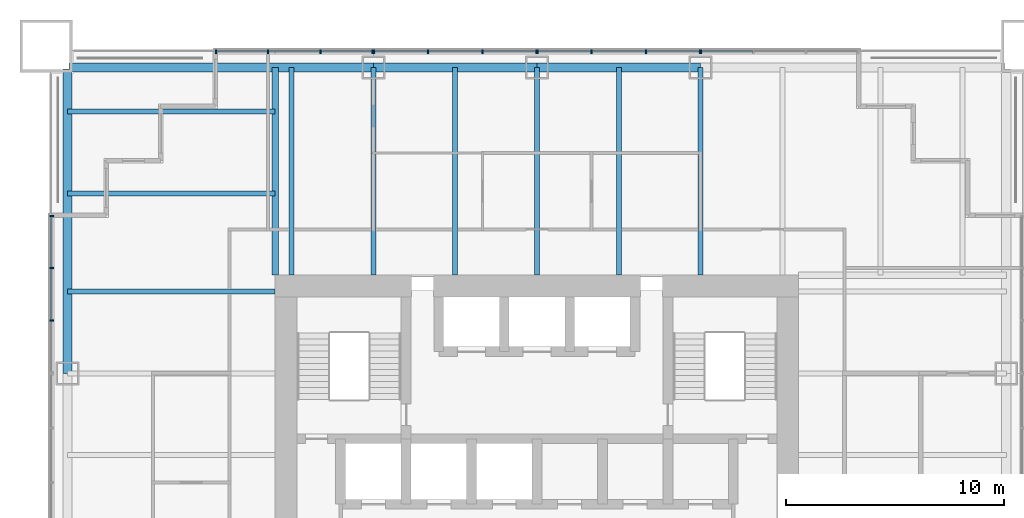
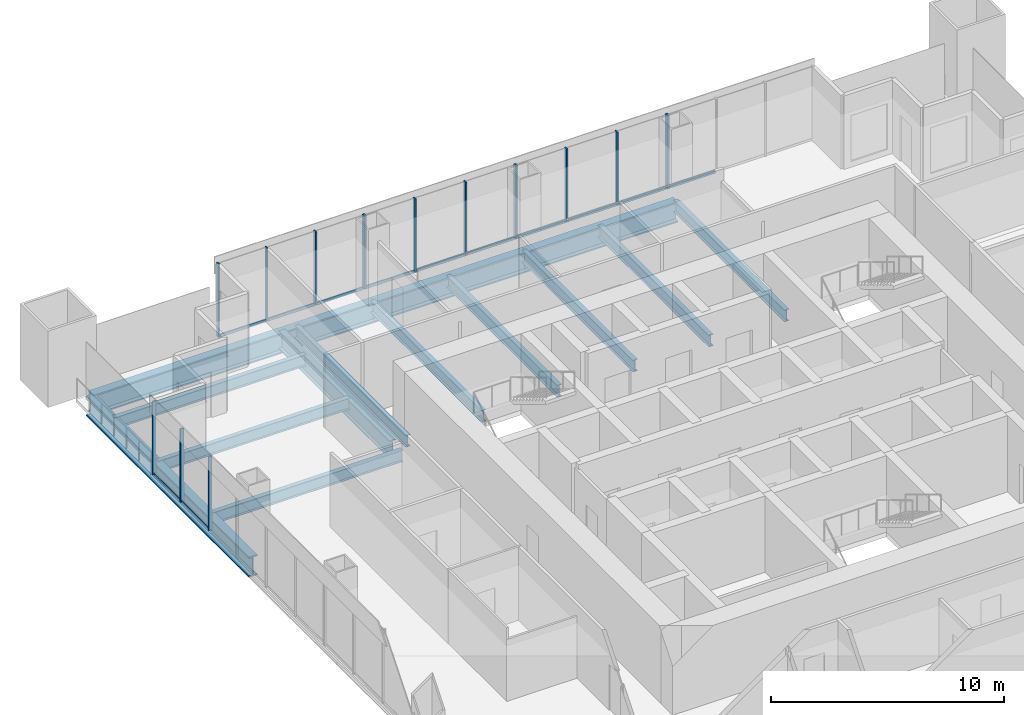
# One storey, part 5 of 13: 28 members, 14 beams, 5 elements without a shape of their own.
"""IFC4 building model written with IfcOpenShell, lengths in metres."""

from ifc_helpers import new_model, si_unit, direction, frame, origin, origin_2d, place, context, subcontext, project, spatial, rectangle, i_section, extrude, material, material_profile, profile_set, type_object, element, aggregate, save


model = new_model("IFC4")

# Units and contexts
model_context = context("Model", 3, precision=1e-05, world=origin(), true_north=direction((0.0, 1.0)))
body_context = subcontext(model_context, "Body", "Model", "MODEL_VIEW")
ifc_project = project(units=[si_unit("LENGTHUNIT", "METRE"), si_unit("AREAUNIT", "SQUARE_METRE"), si_unit("VOLUMEUNIT", "CUBIC_METRE"), si_unit("PLANEANGLEUNIT", "RADIAN"), si_unit("MASSUNIT", "GRAM", prefix="KILO")], contexts=[model_context])

# Site, building, storey
site_placement = place(None, origin())
site = spatial("IfcSite", under=ifc_project, at=site_placement, CompositionType="ELEMENT")
building_placement = place(site_placement, origin())
building = spatial("IfcBuilding", under=site, at=building_placement, Name="Tarangal Relay Tower", CompositionType="ELEMENT")
storey_placement = place(building_placement, frame((0.0, 0.0, 209.89990234375)))
storey = spatial("IfcBuildingStorey", under=building, at=storey_placement, Name="L44", CompositionType="ELEMENT", Elevation=209.89990234375)

# Beams
ifc_material_1 = material(Name="Steel ASTM A992", Category="steel")
ifc_material_profile_1 = material_profile(ifc_material_1, i_section(OverallWidth=0.227783203125, OverallDepth=0.60205078125, WebThickness=0.010498046875, FlangeThickness=0.014892578125, at=origin_2d()), Name="W24X68")
ifc_profile_set_1 = profile_set([ifc_material_profile_1], Name="Steel ASTM A992")
beam_type_1 = type_object("IfcBeamType", Name="Corner beam W24X68", PredefinedType="JOIST", material=ifc_profile_set_1)
for number, where, z_axis, x_axis, name in (
    (1, (-12.0, 15.75, -0.450927734375), (-1.0, 0.0, 0.0), (0.0, -1.0, 0.0), "Corner beam CB11 W L44"),
    (2, (-12.0, 19.5, -0.450927734375), (-1.0, 0.0, 0.0), (0.0, -1.0, 0.0), "Corner beam CB11 W L44"),
):
    element("IfcBeam", number, at=place(storey_placement, frame(where, z_axis=z_axis, x_axis=x_axis)), inside=storey, type_object=beam_type_1, Name=name, PredefinedType="JOIST", context=body_context, shape_type="SweptSolid", body=[
        extrude(i_section(OverallWidth=0.227783203125, OverallDepth=0.60205078125, WebThickness=0.010498046875, FlangeThickness=0.014892578125, at=origin_2d()), origin(), (0.0, 0.0, 1.0), 9.514892578125),
    ])
ifc_material_profile_2 = material_profile(ifc_material_1, i_section(OverallWidth=0.307373046875, OverallDepth=0.9423828125, WebThickness=0.022216796875, FlangeThickness=0.039794921875, at=origin_2d()), Name="W36X232")
ifc_profile_set_2 = profile_set([ifc_material_profile_2], Name="Steel ASTM A992")
beam_type_2 = type_object("IfcBeamType", Name="Corner girder W36X232", PredefinedType="BEAM", material=ifc_profile_set_2)
beam_1_placement = place(storey_placement, frame((-12.0, 12.0, -0.62109375), z_axis=(0.0, 1.0, 0.0), x_axis=(-1.0, 0.0, 0.0)))
element("IfcBeam", 3, at=beam_1_placement, inside=storey, type_object=beam_type_2, Name="Corner girder CG4 W L44", PredefinedType="BEAM", context=body_context, shape_type="SweptSolid", body=[
    extrude(i_section(OverallWidth=0.307373046875, OverallDepth=0.9423828125, WebThickness=0.022216796875, FlangeThickness=0.039794921875, at=origin_2d()), origin(), (0.0, 0.0, 1.0), 9.514892578125),
])
ifc_material_profile_3 = material_profile(ifc_material_1, i_section(OverallWidth=0.41650390625, OverallDepth=1.0693359375, WebThickness=0.0390625, FlangeThickness=0.070068359375, at=origin_2d()), Name="W40X503")
ifc_profile_set_3 = profile_set([ifc_material_profile_3], Name="Steel ASTM A992")
beam_type_3 = type_object("IfcBeamType", Name="Edge girder W40X503", PredefinedType="SPANDREL", material=ifc_profile_set_3)
beam_2_placement = place(storey_placement, frame((-21.449951171875, 21.514892578125, -0.6845703125), z_axis=(1.0, 0.0, 0.0), x_axis=(0.0, 1.0, 0.0)))
element("IfcBeam", 4, at=beam_2_placement, inside=storey, type_object=beam_type_3, Name="Edge girder EG8 N L44", PredefinedType="SPANDREL", context=body_context, shape_type="SweptSolid", body=[
    extrude(i_section(OverallWidth=0.41650390625, OverallDepth=1.0693359375, WebThickness=0.0390625, FlangeThickness=0.070068359375, at=origin_2d()), origin(), (0.0, 0.0, 1.0), 13.949951171875),
])
for number, where, z_axis, x_axis, name in (
    (5, (-7.5, 21.514892578125, -0.6845703125), (1.0, 0.0, 0.0), (0.0, 1.0, 0.0), "Edge girder EG8 N L44"),
    (6, (0.0, 21.514892578125, -0.6845703125), (1.0, 0.0, 0.0), (0.0, 1.0, 0.0), "Edge girder EG8 N L44"),
):
    element("IfcBeam", number, at=place(storey_placement, frame(where, z_axis=z_axis, x_axis=x_axis)), inside=storey, type_object=beam_type_3, Name=name, PredefinedType="SPANDREL", context=body_context, shape_type="SweptSolid", body=[
        extrude(i_section(OverallWidth=0.41650390625, OverallDepth=1.0693359375, WebThickness=0.0390625, FlangeThickness=0.070068359375, at=origin_2d()), origin(), (0.0, 0.0, 1.0), 7.5),
    ])
beam_3_placement = place(storey_placement, frame((-21.514892578125, 7.5, -0.6845703125), z_axis=(0.0, 1.0, 0.0), x_axis=(-1.0, 0.0, 0.0)))
element("IfcBeam", 7, at=beam_3_placement, inside=storey, type_object=beam_type_3, Name="Edge girder EG8 W L44", PredefinedType="SPANDREL", context=body_context, shape_type="SweptSolid", body=[
    extrude(i_section(OverallWidth=0.41650390625, OverallDepth=1.0693359375, WebThickness=0.0390625, FlangeThickness=0.070068359375, at=origin_2d()), origin(), (0.0, 0.0, 1.0), 13.949951171875),
])
ifc_material_profile_4 = material_profile(ifc_material_1, i_section(OverallWidth=0.22900390625, OverallDepth=0.612060546875, WebThickness=0.011962890625, FlangeThickness=0.01953125, at=origin_2d()), Name="W24X84")
ifc_profile_set_4 = profile_set([ifc_material_profile_4], Name="Steel ASTM A992")
beam_type_4 = type_object("IfcBeamType", Name="Floor beam W24X84", PredefinedType="BEAM", material=ifc_profile_set_4)
for number, where, z_axis, x_axis, name in (
    (8, (-11.25, 12.0, -0.455810546875), (0.0, 1.0, 0.0), (-1.0, 0.0, 0.0), "Floor beam RB12 N L44"),
    (9, (-7.5, 12.0, -0.455810546875), (0.0, 1.0, 0.0), (-1.0, 0.0, 0.0), "Floor beam RB12 N L44"),
    (10, (-3.75, 12.0, -0.455810546875), (0.0, 1.0, 0.0), (-1.0, 0.0, 0.0), "Floor beam RB12 N L44"),
    (11, (0.0, 12.0, -0.455810546875), (0.0, 1.0, 0.0), (-1.0, 0.0, 0.0), "Floor beam RB12 N L44"),
    (12, (3.75, 12.0, -0.455810546875), (0.0, 1.0, 0.0), (-1.0, 0.0, 0.0), "Floor beam RB12 N L44"),
    (13, (7.5, 12.0, -0.455810546875), (0.0, 1.0, 0.0), (-1.0, 0.0, 0.0), "Floor beam RB12 N L44"),
    (14, (-12.0, 11.25, -0.455810546875), (-1.0, 0.0, 0.0), (0.0, -1.0, 0.0), "Floor beam RB12 W L44"),
):
    element("IfcBeam", number, at=place(storey_placement, frame(where, z_axis=z_axis, x_axis=x_axis)), inside=storey, type_object=beam_type_4, Name=name, PredefinedType="BEAM", context=body_context, shape_type="SweptSolid", body=[
        extrude(i_section(OverallWidth=0.22900390625, OverallDepth=0.612060546875, WebThickness=0.011962890625, FlangeThickness=0.01953125, at=origin_2d()), origin(), (0.0, 0.0, 1.0), 9.514892578125),
    ])

# Curtain wall, members
ifc_material_2 = material(Name="Unitised curtain wall, dark glass and black aluminium", Category="aluminium")
curtain_wall_type = type_object("IfcCurtainWallType", Name="Curtain wall CW-A", PredefinedType="USERDEFINED", material=ifc_material_2)
curtain_wall_1_placement = place(storey_placement, origin())
curtain_wall_1 = element("IfcCurtainWall", 15, at=curtain_wall_1_placement, inside=storey, type_object=curtain_wall_type, Name="Curtain wall CW-A N facade L44", ObjectType="UNITISED CURTAIN WALL", PredefinedType="USERDEFINED")
ifc_material_3 = material(Name="Black anodised aluminium mullion", Category="aluminium")
ifc_material_profile_5 = material_profile(ifc_material_3, rectangle(XDim=0.175048828125, YDim=0.06494140625, at=origin_2d()), Name="CW-AM 65X175")
ifc_profile_set_5 = profile_set([ifc_material_profile_5], Name="Black anodised aluminium mullion")
member_type_1 = type_object("IfcMemberType", Name="Mullion CW-A 65 x 175", PredefinedType="MULLION", material=ifc_profile_set_5)
member_1_placement = place(storey_placement, frame((-14.717529296875, 22.25, 0.0), z_axis=(0.0, 0.0, 1.0), x_axis=(0.0, 1.0, 0.0)))
member_1 = element("IfcMember", 16, at=member_1_placement, type_object=member_type_1, Name="CW-A mullion 1", PredefinedType="MULLION", context=body_context, shape_type="SweptSolid", body=[
    extrude(rectangle(XDim=0.175048828125, YDim=0.06494140625, at=origin_2d()), origin(), (0.0, 0.0, 1.0), 3.85009765625),
])
member_2_placement = place(storey_placement, frame((-12.333251953125, 22.25, 0.0), z_axis=(0.0, 0.0, 1.0), x_axis=(0.0, 1.0, 0.0)))
member_2 = element("IfcMember", 17, at=member_2_placement, type_object=member_type_1, Name="CW-A mullion 2", PredefinedType="MULLION", context=body_context, shape_type="SweptSolid", body=[
    extrude(rectangle(XDim=0.175048828125, YDim=0.06494140625, at=origin_2d()), origin(), (0.0, 0.0, 1.0), 3.85009765625),
])
member_3_placement = place(storey_placement, frame((-9.916748046875, 22.25, 0.0), z_axis=(0.0, 0.0, 1.0), x_axis=(0.0, 1.0, 0.0)))
member_3 = element("IfcMember", 18, at=member_3_placement, type_object=member_type_1, Name="CW-A mullion 3", PredefinedType="MULLION", context=body_context, shape_type="SweptSolid", body=[
    extrude(rectangle(XDim=0.175048828125, YDim=0.06494140625, at=origin_2d()), origin(), (0.0, 0.0, 1.0), 3.85009765625),
])
member_4_placement = place(storey_placement, frame((-7.532470703125, 22.25, 0.0), z_axis=(0.0, 0.0, 1.0), x_axis=(0.0, 1.0, 0.0)))
member_4 = element("IfcMember", 19, at=member_4_placement, type_object=member_type_1, Name="CW-A mullion 4", PredefinedType="MULLION", context=body_context, shape_type="SweptSolid", body=[
    extrude(rectangle(XDim=0.175048828125, YDim=0.06494140625, at=origin_2d()), origin(), (0.0, 0.0, 1.0), 3.85009765625),
])

curtain_wall_2_placement = place(storey_placement, origin())
curtain_wall_2 = element("IfcCurtainWall", 20, at=curtain_wall_2_placement, inside=storey, type_object=curtain_wall_type, Name="Curtain wall CW-A N facade L44", ObjectType="UNITISED CURTAIN WALL", PredefinedType="USERDEFINED")
member_5_placement = place(storey_placement, frame((-7.467529296875, 22.25, 0.0), z_axis=(0.0, 0.0, 1.0), x_axis=(0.0, 1.0, 0.0)))
member_5 = element("IfcMember", 21, at=member_5_placement, type_object=member_type_1, Name="CW-A mullion 1", PredefinedType="MULLION", context=body_context, shape_type="SweptSolid", body=[
    extrude(rectangle(XDim=0.175048828125, YDim=0.06494140625, at=origin_2d()), origin(), (0.0, 0.0, 1.0), 3.85009765625),
])
member_6_placement = place(storey_placement, frame((-5.0, 22.25, 0.0), z_axis=(0.0, 0.0, 1.0), x_axis=(0.0, 1.0, 0.0)))
member_6 = element("IfcMember", 22, at=member_6_placement, type_object=member_type_1, Name="CW-A mullion 2", PredefinedType="MULLION", context=body_context, shape_type="SweptSolid", body=[
    extrude(rectangle(XDim=0.175048828125, YDim=0.06494140625, at=origin_2d()), origin(), (0.0, 0.0, 1.0), 3.85009765625),
])
member_7_placement = place(storey_placement, frame((-2.5, 22.25, 0.0), z_axis=(0.0, 0.0, 1.0), x_axis=(0.0, 1.0, 0.0)))
member_7 = element("IfcMember", 23, at=member_7_placement, type_object=member_type_1, Name="CW-A mullion 3", PredefinedType="MULLION", context=body_context, shape_type="SweptSolid", body=[
    extrude(rectangle(XDim=0.175048828125, YDim=0.06494140625, at=origin_2d()), origin(), (0.0, 0.0, 1.0), 3.85009765625),
])
member_8_placement = place(storey_placement, frame((-0.032470703125, 22.25, 0.0), z_axis=(0.0, 0.0, 1.0), x_axis=(0.0, 1.0, 0.0)))
member_8 = element("IfcMember", 24, at=member_8_placement, type_object=member_type_1, Name="CW-A mullion 4", PredefinedType="MULLION", context=body_context, shape_type="SweptSolid", body=[
    extrude(rectangle(XDim=0.175048828125, YDim=0.06494140625, at=origin_2d()), origin(), (0.0, 0.0, 1.0), 3.85009765625),
])

curtain_wall_3_placement = place(storey_placement, origin())
curtain_wall_3 = element("IfcCurtainWall", 25, at=curtain_wall_3_placement, inside=storey, type_object=curtain_wall_type, Name="Curtain wall CW-A N facade L44", ObjectType="UNITISED CURTAIN WALL", PredefinedType="USERDEFINED")
member_9_placement = place(storey_placement, frame((0.032470703125, 22.25, 0.0), z_axis=(0.0, 0.0, 1.0), x_axis=(0.0, 1.0, 0.0)))
member_9 = element("IfcMember", 26, at=member_9_placement, type_object=member_type_1, Name="CW-A mullion 1", PredefinedType="MULLION", context=body_context, shape_type="SweptSolid", body=[
    extrude(rectangle(XDim=0.175048828125, YDim=0.06494140625, at=origin_2d()), origin(), (0.0, 0.0, 1.0), 3.85009765625),
])
member_10_placement = place(storey_placement, frame((2.5, 22.25, 0.0), z_axis=(0.0, 0.0, 1.0), x_axis=(0.0, 1.0, 0.0)))
member_10 = element("IfcMember", 27, at=member_10_placement, type_object=member_type_1, Name="CW-A mullion 2", PredefinedType="MULLION", context=body_context, shape_type="SweptSolid", body=[
    extrude(rectangle(XDim=0.175048828125, YDim=0.06494140625, at=origin_2d()), origin(), (0.0, 0.0, 1.0), 3.85009765625),
])
member_11_placement = place(storey_placement, frame((5.0, 22.25, 0.0), z_axis=(0.0, 0.0, 1.0), x_axis=(0.0, 1.0, 0.0)))
member_11 = element("IfcMember", 28, at=member_11_placement, type_object=member_type_1, Name="CW-A mullion 3", PredefinedType="MULLION", context=body_context, shape_type="SweptSolid", body=[
    extrude(rectangle(XDim=0.175048828125, YDim=0.06494140625, at=origin_2d()), origin(), (0.0, 0.0, 1.0), 3.85009765625),
])
member_12_placement = place(storey_placement, frame((7.467529296875, 22.25, 0.0), z_axis=(0.0, 0.0, 1.0), x_axis=(0.0, 1.0, 0.0)))
member_12 = element("IfcMember", 29, at=member_12_placement, type_object=member_type_1, Name="CW-A mullion 4", PredefinedType="MULLION", context=body_context, shape_type="SweptSolid", body=[
    extrude(rectangle(XDim=0.175048828125, YDim=0.06494140625, at=origin_2d()), origin(), (0.0, 0.0, 1.0), 3.85009765625),
])

# Curtain wall, member
curtain_wall_4_placement = place(storey_placement, origin())
curtain_wall_4 = element("IfcCurtainWall", 30, at=curtain_wall_4_placement, inside=storey, type_object=curtain_wall_type, Name="Curtain wall CW-A N facade L44", ObjectType="UNITISED CURTAIN WALL", PredefinedType="USERDEFINED")
member_13_placement = place(storey_placement, frame((7.532470703125, 22.25, 0.0), z_axis=(0.0, 0.0, 1.0), x_axis=(0.0, 1.0, 0.0)))
member_13 = element("IfcMember", 31, at=member_13_placement, type_object=member_type_1, Name="CW-A mullion 1", PredefinedType="MULLION", context=body_context, shape_type="SweptSolid", body=[
    extrude(rectangle(XDim=0.175048828125, YDim=0.06494140625, at=origin_2d()), origin(), (0.0, 0.0, 1.0), 3.85009765625),
])

# Curtain wall, members
curtain_wall_5_placement = place(storey_placement, origin())
curtain_wall_5 = element("IfcCurtainWall", 32, at=curtain_wall_5_placement, inside=storey, type_object=curtain_wall_type, Name="Curtain wall CW-A W facade L44", ObjectType="UNITISED CURTAIN WALL", PredefinedType="USERDEFINED")
member_14_placement = place(storey_placement, frame((-22.25, 9.916748046875, 0.0), z_axis=(0.0, 0.0, 1.0), x_axis=(-1.0, 0.0, 0.0)))
member_14 = element("IfcMember", 33, at=member_14_placement, type_object=member_type_1, Name="CW-A mullion 2", PredefinedType="MULLION", context=body_context, shape_type="SweptSolid", body=[
    extrude(rectangle(XDim=0.175048828125, YDim=0.06494140625, at=origin_2d()), origin(), (0.0, 0.0, 1.0), 3.85009765625),
])
member_15_placement = place(storey_placement, frame((-22.25, 12.333251953125, 0.0), z_axis=(0.0, 0.0, 1.0), x_axis=(-1.0, 0.0, 0.0)))
member_15 = element("IfcMember", 34, at=member_15_placement, type_object=member_type_1, Name="CW-A mullion 3", PredefinedType="MULLION", context=body_context, shape_type="SweptSolid", body=[
    extrude(rectangle(XDim=0.175048828125, YDim=0.06494140625, at=origin_2d()), origin(), (0.0, 0.0, 1.0), 3.85009765625),
])
member_16_placement = place(storey_placement, frame((-22.25, 14.717529296875, 0.0), z_axis=(0.0, 0.0, 1.0), x_axis=(-1.0, 0.0, 0.0)))
member_16 = element("IfcMember", 35, at=member_16_placement, type_object=member_type_1, Name="CW-A mullion 4", PredefinedType="MULLION", context=body_context, shape_type="SweptSolid", body=[
    extrude(rectangle(XDim=0.175048828125, YDim=0.06494140625, at=origin_2d()), origin(), (0.0, 0.0, 1.0), 3.85009765625),
])

# Member
ifc_material_4 = material(Name="Black anodised aluminium transom", Category="aluminium")
ifc_material_profile_6 = material_profile(ifc_material_4, rectangle(XDim=0.06494140625, YDim=0.14990234375, at=origin_2d()), Name="CW-AT 65X150")
ifc_profile_set_6 = profile_set([ifc_material_profile_6], Name="Black anodised aluminium transom")
member_type_2 = type_object("IfcMemberType", Name="Transom CW-A 65 x 150", PredefinedType="USERDEFINED", material=ifc_profile_set_6)
member_17_placement = place(storey_placement, frame((-14.68505859375, 22.25, 0.03271484375), z_axis=(1.0, 0.0, 0.0), x_axis=(0.0, 1.0, 0.0)))
member_17 = element("IfcMember", 36, at=member_17_placement, type_object=member_type_2, Name="CW-A transom 1.1", ObjectType="TRANSOM", PredefinedType="USERDEFINED", context=body_context, shape_type="SweptSolid", body=[
    extrude(rectangle(XDim=0.06494140625, YDim=0.14990234375, at=origin_2d()), origin(), (0.0, 0.0, 1.0), 2.3193359375),
])

member_18_placement = place(storey_placement, frame((-12.30078125, 22.25, 0.03271484375), z_axis=(1.0, 0.0, 0.0), x_axis=(0.0, 1.0, 0.0)))
member_18 = element("IfcMember", 37, at=member_18_placement, type_object=member_type_2, Name="CW-A transom 2.1", ObjectType="TRANSOM", PredefinedType="USERDEFINED", context=body_context, shape_type="SweptSolid", body=[
    extrude(rectangle(XDim=0.06494140625, YDim=0.14990234375, at=origin_2d()), origin(), (0.0, 0.0, 1.0), 2.3515625),
])

member_19_placement = place(storey_placement, frame((-9.88427734375, 22.25, 0.03271484375), z_axis=(1.0, 0.0, 0.0), x_axis=(0.0, 1.0, 0.0)))
member_19 = element("IfcMember", 38, at=member_19_placement, type_object=member_type_2, Name="CW-A transom 3.1", ObjectType="TRANSOM", PredefinedType="USERDEFINED", context=body_context, shape_type="SweptSolid", body=[
    extrude(rectangle(XDim=0.06494140625, YDim=0.14990234375, at=origin_2d()), origin(), (0.0, 0.0, 1.0), 2.3193359375),
])

aggregate(curtain_wall_1, [member_1, member_2, member_3, member_4, member_17, member_18, member_19])

member_20_placement = place(storey_placement, frame((-7.43505859375, 22.25, 0.03271484375), z_axis=(1.0, 0.0, 0.0), x_axis=(0.0, 1.0, 0.0)))
member_20 = element("IfcMember", 39, at=member_20_placement, type_object=member_type_2, Name="CW-A transom 1.1", ObjectType="TRANSOM", PredefinedType="USERDEFINED", context=body_context, shape_type="SweptSolid", body=[
    extrude(rectangle(XDim=0.06494140625, YDim=0.14990234375, at=origin_2d()), origin(), (0.0, 0.0, 1.0), 2.402587890625),
])

member_21_placement = place(storey_placement, frame((-4.967529296875, 22.25, 0.03271484375), z_axis=(1.0, 0.0, 0.0), x_axis=(0.0, 1.0, 0.0)))
member_21 = element("IfcMember", 40, at=member_21_placement, type_object=member_type_2, Name="CW-A transom 2.1", ObjectType="TRANSOM", PredefinedType="USERDEFINED", context=body_context, shape_type="SweptSolid", body=[
    extrude(rectangle(XDim=0.06494140625, YDim=0.14990234375, at=origin_2d()), origin(), (0.0, 0.0, 1.0), 2.43505859375),
])

member_22_placement = place(storey_placement, frame((-2.467529296875, 22.25, 0.03271484375), z_axis=(1.0, 0.0, 0.0), x_axis=(0.0, 1.0, 0.0)))
member_22 = element("IfcMember", 41, at=member_22_placement, type_object=member_type_2, Name="CW-A transom 3.1", ObjectType="TRANSOM", PredefinedType="USERDEFINED", context=body_context, shape_type="SweptSolid", body=[
    extrude(rectangle(XDim=0.06494140625, YDim=0.14990234375, at=origin_2d()), origin(), (0.0, 0.0, 1.0), 2.402587890625),
])

aggregate(curtain_wall_2, [member_5, member_6, member_7, member_8, member_20, member_21, member_22])

member_23_placement = place(storey_placement, frame((0.06494140625, 22.25, 0.03271484375), z_axis=(1.0, 0.0, 0.0), x_axis=(0.0, 1.0, 0.0)))
member_23 = element("IfcMember", 42, at=member_23_placement, type_object=member_type_2, Name="CW-A transom 1.1", ObjectType="TRANSOM", PredefinedType="USERDEFINED", context=body_context, shape_type="SweptSolid", body=[
    extrude(rectangle(XDim=0.06494140625, YDim=0.14990234375, at=origin_2d()), origin(), (0.0, 0.0, 1.0), 2.402587890625),
])

member_24_placement = place(storey_placement, frame((2.532470703125, 22.25, 0.03271484375), z_axis=(1.0, 0.0, 0.0), x_axis=(0.0, 1.0, 0.0)))
member_24 = element("IfcMember", 43, at=member_24_placement, type_object=member_type_2, Name="CW-A transom 2.1", ObjectType="TRANSOM", PredefinedType="USERDEFINED", context=body_context, shape_type="SweptSolid", body=[
    extrude(rectangle(XDim=0.06494140625, YDim=0.14990234375, at=origin_2d()), origin(), (0.0, 0.0, 1.0), 2.43505859375),
])

member_25_placement = place(storey_placement, frame((5.032470703125, 22.25, 0.03271484375), z_axis=(1.0, 0.0, 0.0), x_axis=(0.0, 1.0, 0.0)))
member_25 = element("IfcMember", 44, at=member_25_placement, type_object=member_type_2, Name="CW-A transom 3.1", ObjectType="TRANSOM", PredefinedType="USERDEFINED", context=body_context, shape_type="SweptSolid", body=[
    extrude(rectangle(XDim=0.06494140625, YDim=0.14990234375, at=origin_2d()), origin(), (0.0, 0.0, 1.0), 2.402587890625),
])

aggregate(curtain_wall_3, [member_9, member_10, member_11, member_12, member_23, member_24, member_25])

member_26_placement = place(storey_placement, frame((7.56494140625, 22.25, 0.03271484375), z_axis=(1.0, 0.0, 0.0), x_axis=(0.0, 1.0, 0.0)))
member_26 = element("IfcMember", 45, at=member_26_placement, type_object=member_type_2, Name="CW-A transom 1.1", ObjectType="TRANSOM", PredefinedType="USERDEFINED", context=body_context, shape_type="SweptSolid", body=[
    extrude(rectangle(XDim=0.06494140625, YDim=0.14990234375, at=origin_2d()), origin(), (0.0, 0.0, 1.0), 2.3193359375),
])

aggregate(curtain_wall_4, [member_13, member_26])

member_27_placement = place(storey_placement, frame((-22.25, 9.94921875, 0.03271484375), z_axis=(0.0, 1.0, 0.0), x_axis=(-1.0, 0.0, 0.0)))
member_27 = element("IfcMember", 46, at=member_27_placement, type_object=member_type_2, Name="CW-A transom 2.1", ObjectType="TRANSOM", PredefinedType="USERDEFINED", context=body_context, shape_type="SweptSolid", body=[
    extrude(rectangle(XDim=0.06494140625, YDim=0.14990234375, at=origin_2d()), origin(), (0.0, 0.0, 1.0), 2.3515625),
])

member_28_placement = place(storey_placement, frame((-22.25, 12.36572265625, 0.03271484375), z_axis=(0.0, 1.0, 0.0), x_axis=(-1.0, 0.0, 0.0)))
member_28 = element("IfcMember", 47, at=member_28_placement, type_object=member_type_2, Name="CW-A transom 3.1", ObjectType="TRANSOM", PredefinedType="USERDEFINED", context=body_context, shape_type="SweptSolid", body=[
    extrude(rectangle(XDim=0.06494140625, YDim=0.14990234375, at=origin_2d()), origin(), (0.0, 0.0, 1.0), 2.3193359375),
])

aggregate(curtain_wall_5, [member_14, member_15, member_16, member_27, member_28])

save(model, "model.ifc")
